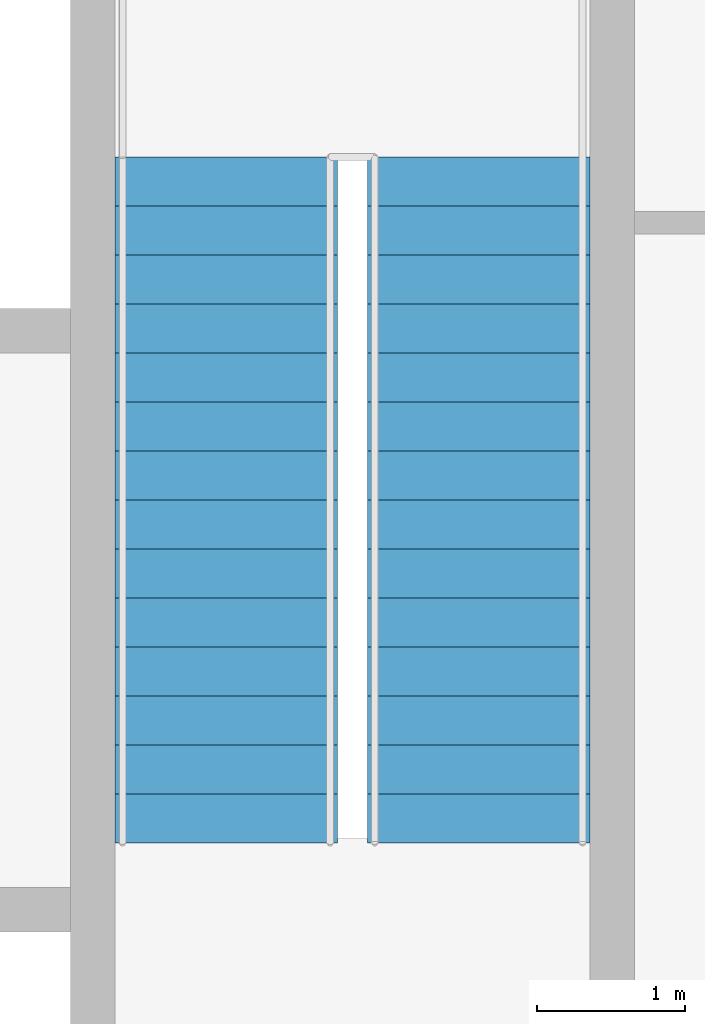
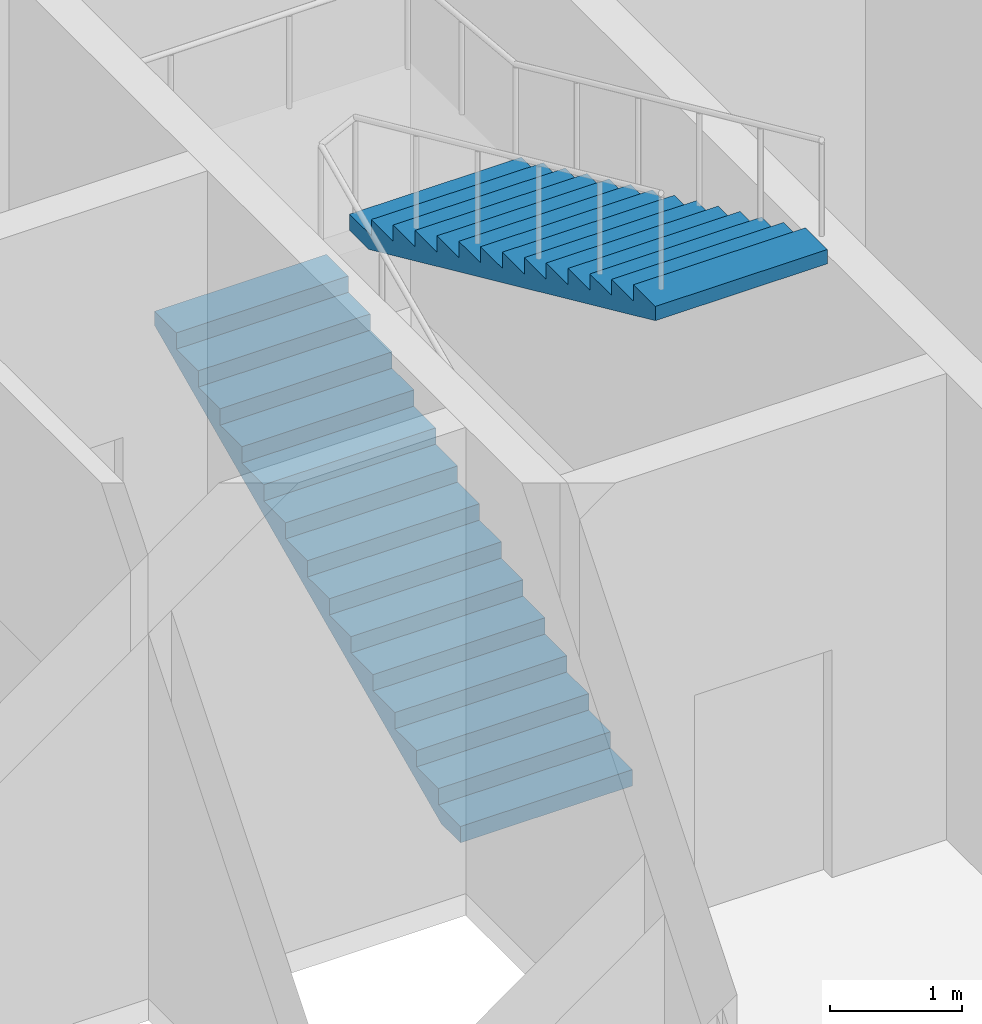
# One storey, part 11 of 12: 2 stair flights, 1 element without a shape of its own.
"""IFC4 building model written with IfcOpenShell, lengths in metres."""

from ifc_helpers import new_model, si_unit, direction, frame, origin, place, context, subcontext, project, spatial, polygons, material, type_object, element, aggregate, save


model = new_model("IFC4")

# Units and contexts
model_context = context("Model", 3, precision=1e-05, world=origin(), true_north=direction((0.0, 1.0)))
body_context = subcontext(model_context, "Body", "Model", "MODEL_VIEW")
ifc_project = project(units=[si_unit("LENGTHUNIT", "METRE"), si_unit("AREAUNIT", "SQUARE_METRE"), si_unit("VOLUMEUNIT", "CUBIC_METRE"), si_unit("PLANEANGLEUNIT", "RADIAN"), si_unit("MASSUNIT", "GRAM", prefix="KILO")], contexts=[model_context])

# Site, building, storey
site_placement = place(None, origin())
site = spatial("IfcSite", under=ifc_project, at=site_placement, CompositionType="ELEMENT")
building_placement = place(site_placement, origin())
building = spatial("IfcBuilding", under=site, at=building_placement, Name="Njiva Tower", CompositionType="ELEMENT")
storey_placement = place(building_placement, frame((0.0, 0.0, 60.3)))
storey = spatial("IfcBuildingStorey", under=building, at=storey_placement, Name="L12", CompositionType="ELEMENT", Elevation=60.3)

# Stair, stair flights
ifc_material = material(Name="Concrete C40/50", Category="concrete")
stair_type = type_object("IfcStairType", Name="ST4 Exit stair 1500", PredefinedType="HALF_TURN_STAIR", material=ifc_material)
stair_placement = place(storey_placement, origin())
stair = element("IfcStair", 1, at=stair_placement, inside=storey, type_object=stair_type, Name="Stair B", PredefinedType="HALF_TURN_STAIR")
stair_flight_type = type_object("IfcStairFlightType", Name="FL4 Stair flight 1500", PredefinedType="STRAIGHT", material=ifc_material)
stair_flight_1_placement = place(storey_placement, frame((11.75, 11.1, 0.0), z_axis=(0.0, 0.0, 1.0), x_axis=(0.0, 1.0, 0.0)))
stair_flight_1 = element("IfcStairFlight", 2, at=stair_flight_1_placement, type_object=stair_flight_type, Name="ST-B flight 1", NumberOfRisers=15, NumberOfTreads=14, PredefinedType="STRAIGHT", RiserHeight=0.15, TreadLength=0.33, context=body_context, shape_type="Tessellation", body=[
    polygons([(0.0, 0.75, 0.0), (0.0, 0.375, 0.0), (0.0, 0.0, 0.0), (0.0, -0.375, 0.0), (0.0, -0.75, 0.0), (0.0, 0.75, 0.15), (0.0, 0.375, 0.15), (0.0, 0.0, 0.15), (0.0, -0.375, 0.15), (0.0, -0.75, 0.15), (0.33, 0.75, 0.15), (0.33, 0.375, 0.15), (0.33, 0.0, 0.15), (0.33, -0.375, 0.15), (0.33, -0.75, 0.15), (0.33, 0.75, 0.3), (0.33, 0.375, 0.3), (0.33, 0.0, 0.3), (0.33, -0.375, 0.3), (0.33, -0.75, 0.3), (0.66, 0.75, 0.3), (0.66, 0.375, 0.3), (0.66, 0.0, 0.3), (0.66, -0.375, 0.3), (0.66, -0.75, 0.3), (0.66, 0.75, 0.45), (0.66, 0.375, 0.45), (0.66, 0.0, 0.45), (0.66, -0.375, 0.45), (0.66, -0.75, 0.45), (0.99, 0.75, 0.45), (0.99, 0.375, 0.45), (0.99, 0.0, 0.45), (0.99, -0.375, 0.45), (0.99, -0.75, 0.45), (0.99, 0.75, 0.6), (0.99, 0.375, 0.6), (0.99, 0.0, 0.6), (0.99, -0.375, 0.6), (0.99, -0.75, 0.6), (1.32, 0.75, 0.6), (1.32, 0.375, 0.6), (1.32, 0.0, 0.6), (1.32, -0.375, 0.6), (1.32, -0.75, 0.6), (1.32, 0.75, 0.75), (1.32, 0.375, 0.75), (1.32, 0.0, 0.75), (1.32, -0.375, 0.75), (1.32, -0.75, 0.75), (1.65, 0.75, 0.75), (1.65, 0.375, 0.75), (1.65, 0.0, 0.75), (1.65, -0.375, 0.75), (1.65, -0.75, 0.75), (1.65, 0.75, 0.9), (1.65, 0.375, 0.9), (1.65, 0.0, 0.9), (1.65, -0.375, 0.9), (1.65, -0.75, 0.9), (1.98, 0.75, 0.9), (1.98, 0.375, 0.9), (1.98, 0.0, 0.9), (1.98, -0.375, 0.9), (1.98, -0.75, 0.9), (1.98, 0.75, 1.05), (1.98, 0.375, 1.05), (1.98, 0.0, 1.05), (1.98, -0.375, 1.05), (1.98, -0.75, 1.05), (2.31, 0.75, 1.05), (2.31, 0.375, 1.05), (2.31, 0.0, 1.05), (2.31, -0.375, 1.05), (2.31, -0.75, 1.05), (2.31, 0.75, 1.2), (2.31, 0.375, 1.2), (2.31, 0.0, 1.2), (2.31, -0.375, 1.2), (2.31, -0.75, 1.2), (2.64, 0.75, 1.2), (2.64, 0.375, 1.2), (2.64, 0.0, 1.2), (2.64, -0.375, 1.2), (2.64, -0.75, 1.2), (2.64, 0.75, 1.35), (2.64, 0.375, 1.35), (2.64, 0.0, 1.35), (2.64, -0.375, 1.35), (2.64, -0.75, 1.35), (2.97, 0.75, 1.35), (2.97, 0.375, 1.35), (2.97, 0.0, 1.35), (2.97, -0.375, 1.35), (2.97, -0.75, 1.35), (2.97, 0.75, 1.5), (2.97, 0.375, 1.5), (2.97, 0.0, 1.5), (2.97, -0.375, 1.5), (2.97, -0.75, 1.5), (3.3, 0.75, 1.5), (3.3, 0.375, 1.5), (3.3, 0.0, 1.5), (3.3, -0.375, 1.5), (3.3, -0.75, 1.5), (3.3, 0.75, 1.65), (3.3, 0.375, 1.65), (3.3, 0.0, 1.65), (3.3, -0.375, 1.65), (3.3, -0.75, 1.65), (3.63, 0.75, 1.65), (3.63, 0.375, 1.65), (3.63, 0.0, 1.65), (3.63, -0.375, 1.65), (3.63, -0.75, 1.65), (3.63, 0.75, 1.8), (3.63, 0.375, 1.8), (3.63, 0.0, 1.8), (3.63, -0.375, 1.8), (3.63, -0.75, 1.8), (3.96, 0.75, 1.8), (3.96, 0.375, 1.8), (3.96, 0.0, 1.8), (3.96, -0.375, 1.8), (3.96, -0.75, 1.8), (3.96, 0.75, 1.95), (3.96, 0.375, 1.95), (3.96, 0.0, 1.95), (3.96, -0.375, 1.95), (3.96, -0.75, 1.95), (4.29, 0.75, 1.95), (4.29, 0.375, 1.95), (4.29, 0.0, 1.95), (4.29, -0.375, 1.95), (4.29, -0.75, 1.95), (4.29, 0.75, 2.1), (4.29, 0.375, 2.1), (4.29, 0.0, 2.1), (4.29, -0.375, 2.1), (4.29, -0.75, 2.1), (4.62, 0.75, 2.1), (4.62, 0.375, 2.1), (4.62, 0.0, 2.1), (4.62, -0.375, 2.1), (4.62, -0.75, 2.1), (4.62, 0.75, 1.9682), (4.62, 0.375, 1.9682), (4.62, 0.0, 1.9682), (4.62, -0.375, 1.9682), (4.62, -0.75, 1.9682), (0.29, 0.75, 0.0), (0.29, 0.375, 0.0), (0.29, 0.0, 0.0), (0.29, -0.375, 0.0), (0.29, -0.75, 0.0)], [[[1, 6, 11, 16, 21, 26, 31, 36, 41, 46, 51, 56, 61, 66, 71, 76, 81, 86, 91, 96, 101, 106, 111, 116, 121, 126, 131, 136, 141, 146, 151]], [[155, 150, 145, 140, 135, 130, 125, 120, 115, 110, 105, 100, 95, 90, 85, 80, 75, 70, 65, 60, 55, 50, 45, 40, 35, 30, 25, 20, 15, 10, 5]], [[6, 1, 2, 7]], [[7, 2, 3, 8]], [[8, 3, 4, 9]], [[9, 4, 5, 10]], [[11, 6, 7, 12]], [[12, 7, 8, 13]], [[13, 8, 9, 14]], [[14, 9, 10, 15]], [[16, 11, 12, 17]], [[17, 12, 13, 18]], [[18, 13, 14, 19]], [[19, 14, 15, 20]], [[21, 16, 17, 22]], [[22, 17, 18, 23]], [[23, 18, 19, 24]], [[24, 19, 20, 25]], [[26, 21, 22, 27]], [[27, 22, 23, 28]], [[28, 23, 24, 29]], [[29, 24, 25, 30]], [[31, 26, 27, 32]], [[32, 27, 28, 33]], [[33, 28, 29, 34]], [[34, 29, 30, 35]], [[36, 31, 32, 37]], [[37, 32, 33, 38]], [[38, 33, 34, 39]], [[39, 34, 35, 40]], [[41, 36, 37, 42]], [[42, 37, 38, 43]], [[43, 38, 39, 44]], [[44, 39, 40, 45]], [[46, 41, 42, 47]], [[47, 42, 43, 48]], [[48, 43, 44, 49]], [[49, 44, 45, 50]], [[51, 46, 47, 52]], [[52, 47, 48, 53]], [[53, 48, 49, 54]], [[54, 49, 50, 55]], [[56, 51, 52, 57]], [[57, 52, 53, 58]], [[58, 53, 54, 59]], [[59, 54, 55, 60]], [[61, 56, 57, 62]], [[62, 57, 58, 63]], [[63, 58, 59, 64]], [[64, 59, 60, 65]], [[66, 61, 62, 67]], [[67, 62, 63, 68]], [[68, 63, 64, 69]], [[69, 64, 65, 70]], [[71, 66, 67, 72]], [[72, 67, 68, 73]], [[73, 68, 69, 74]], [[74, 69, 70, 75]], [[76, 71, 72, 77]], [[77, 72, 73, 78]], [[78, 73, 74, 79]], [[79, 74, 75, 80]], [[81, 76, 77, 82]], [[82, 77, 78, 83]], [[83, 78, 79, 84]], [[84, 79, 80, 85]], [[86, 81, 82, 87]], [[87, 82, 83, 88]], [[88, 83, 84, 89]], [[89, 84, 85, 90]], [[91, 86, 87, 92]], [[92, 87, 88, 93]], [[93, 88, 89, 94]], [[94, 89, 90, 95]], [[96, 91, 92, 97]], [[97, 92, 93, 98]], [[98, 93, 94, 99]], [[99, 94, 95, 100]], [[101, 96, 97, 102]], [[102, 97, 98, 103]], [[103, 98, 99, 104]], [[104, 99, 100, 105]], [[106, 101, 102, 107]], [[107, 102, 103, 108]], [[108, 103, 104, 109]], [[109, 104, 105, 110]], [[111, 106, 107, 112]], [[112, 107, 108, 113]], [[113, 108, 109, 114]], [[114, 109, 110, 115]], [[116, 111, 112, 117]], [[117, 112, 113, 118]], [[118, 113, 114, 119]], [[119, 114, 115, 120]], [[121, 116, 117, 122]], [[122, 117, 118, 123]], [[123, 118, 119, 124]], [[124, 119, 120, 125]], [[126, 121, 122, 127]], [[127, 122, 123, 128]], [[128, 123, 124, 129]], [[129, 124, 125, 130]], [[131, 126, 127, 132]], [[132, 127, 128, 133]], [[133, 128, 129, 134]], [[134, 129, 130, 135]], [[136, 131, 132, 137]], [[137, 132, 133, 138]], [[138, 133, 134, 139]], [[139, 134, 135, 140]], [[141, 136, 137, 142]], [[142, 137, 138, 143]], [[143, 138, 139, 144]], [[144, 139, 140, 145]], [[146, 141, 142, 147]], [[147, 142, 143, 148]], [[148, 143, 144, 149]], [[149, 144, 145, 150]], [[151, 146, 147, 152]], [[152, 147, 148, 153]], [[153, 148, 149, 154]], [[154, 149, 150, 155]], [[1, 151, 152, 2]], [[2, 152, 153, 3]], [[3, 153, 154, 4]], [[4, 154, 155, 5]]], closed=True),
])
stair_flight_2_placement = place(storey_placement, frame((13.45, 15.72, 2.25), z_axis=(0.0, 0.0, 1.0), x_axis=(0.0, -1.0, 0.0)))
stair_flight_2 = element("IfcStairFlight", 3, at=stair_flight_2_placement, type_object=stair_flight_type, Name="ST-B flight 2", NumberOfRisers=15, NumberOfTreads=14, PredefinedType="STRAIGHT", RiserHeight=0.15, TreadLength=0.33, context=body_context, shape_type="Tessellation", body=[
    polygons([(0.0, 0.75, 0.0), (0.0, 0.375, 0.0), (0.0, 0.0, 0.0), (0.0, -0.375, 0.0), (0.0, -0.75, 0.0), (0.0, 0.75, 0.15), (0.0, 0.375, 0.15), (0.0, 0.0, 0.15), (0.0, -0.375, 0.15), (0.0, -0.75, 0.15), (0.33, 0.75, 0.15), (0.33, 0.375, 0.15), (0.33, 0.0, 0.15), (0.33, -0.375, 0.15), (0.33, -0.75, 0.15), (0.33, 0.75, 0.3), (0.33, 0.375, 0.3), (0.33, 0.0, 0.3), (0.33, -0.375, 0.3), (0.33, -0.75, 0.3), (0.66, 0.75, 0.3), (0.66, 0.375, 0.3), (0.66, 0.0, 0.3), (0.66, -0.375, 0.3), (0.66, -0.75, 0.3), (0.66, 0.75, 0.45), (0.66, 0.375, 0.45), (0.66, 0.0, 0.45), (0.66, -0.375, 0.45), (0.66, -0.75, 0.45), (0.99, 0.75, 0.45), (0.99, 0.375, 0.45), (0.99, 0.0, 0.45), (0.99, -0.375, 0.45), (0.99, -0.75, 0.45), (0.99, 0.75, 0.6), (0.99, 0.375, 0.6), (0.99, 0.0, 0.6), (0.99, -0.375, 0.6), (0.99, -0.75, 0.6), (1.32, 0.75, 0.6), (1.32, 0.375, 0.6), (1.32, 0.0, 0.6), (1.32, -0.375, 0.6), (1.32, -0.75, 0.6), (1.32, 0.75, 0.75), (1.32, 0.375, 0.75), (1.32, 0.0, 0.75), (1.32, -0.375, 0.75), (1.32, -0.75, 0.75), (1.65, 0.75, 0.75), (1.65, 0.375, 0.75), (1.65, 0.0, 0.75), (1.65, -0.375, 0.75), (1.65, -0.75, 0.75), (1.65, 0.75, 0.9), (1.65, 0.375, 0.9), (1.65, 0.0, 0.9), (1.65, -0.375, 0.9), (1.65, -0.75, 0.9), (1.98, 0.75, 0.9), (1.98, 0.375, 0.9), (1.98, 0.0, 0.9), (1.98, -0.375, 0.9), (1.98, -0.75, 0.9), (1.98, 0.75, 1.05), (1.98, 0.375, 1.05), (1.98, 0.0, 1.05), (1.98, -0.375, 1.05), (1.98, -0.75, 1.05), (2.31, 0.75, 1.05), (2.31, 0.375, 1.05), (2.31, 0.0, 1.05), (2.31, -0.375, 1.05), (2.31, -0.75, 1.05), (2.31, 0.75, 1.2), (2.31, 0.375, 1.2), (2.31, 0.0, 1.2), (2.31, -0.375, 1.2), (2.31, -0.75, 1.2), (2.64, 0.75, 1.2), (2.64, 0.375, 1.2), (2.64, 0.0, 1.2), (2.64, -0.375, 1.2), (2.64, -0.75, 1.2), (2.64, 0.75, 1.35), (2.64, 0.375, 1.35), (2.64, 0.0, 1.35), (2.64, -0.375, 1.35), (2.64, -0.75, 1.35), (2.97, 0.75, 1.35), (2.97, 0.375, 1.35), (2.97, 0.0, 1.35), (2.97, -0.375, 1.35), (2.97, -0.75, 1.35), (2.97, 0.75, 1.5), (2.97, 0.375, 1.5), (2.97, 0.0, 1.5), (2.97, -0.375, 1.5), (2.97, -0.75, 1.5), (3.3, 0.75, 1.5), (3.3, 0.375, 1.5), (3.3, 0.0, 1.5), (3.3, -0.375, 1.5), (3.3, -0.75, 1.5), (3.3, 0.75, 1.65), (3.3, 0.375, 1.65), (3.3, 0.0, 1.65), (3.3, -0.375, 1.65), (3.3, -0.75, 1.65), (3.63, 0.75, 1.65), (3.63, 0.375, 1.65), (3.63, 0.0, 1.65), (3.63, -0.375, 1.65), (3.63, -0.75, 1.65), (3.63, 0.75, 1.8), (3.63, 0.375, 1.8), (3.63, 0.0, 1.8), (3.63, -0.375, 1.8), (3.63, -0.75, 1.8), (3.96, 0.75, 1.8), (3.96, 0.375, 1.8), (3.96, 0.0, 1.8), (3.96, -0.375, 1.8), (3.96, -0.75, 1.8), (3.96, 0.75, 1.95), (3.96, 0.375, 1.95), (3.96, 0.0, 1.95), (3.96, -0.375, 1.95), (3.96, -0.75, 1.95), (4.29, 0.75, 1.95), (4.29, 0.375, 1.95), (4.29, 0.0, 1.95), (4.29, -0.375, 1.95), (4.29, -0.75, 1.95), (4.29, 0.75, 2.1), (4.29, 0.375, 2.1), (4.29, 0.0, 2.1), (4.29, -0.375, 2.1), (4.29, -0.75, 2.1), (4.62, 0.75, 2.1), (4.62, 0.375, 2.1), (4.62, 0.0, 2.1), (4.62, -0.375, 2.1), (4.62, -0.75, 2.1), (4.62, 0.75, 1.9682), (4.62, 0.375, 1.9682), (4.62, 0.0, 1.9682), (4.62, -0.375, 1.9682), (4.62, -0.75, 1.9682), (0.29, 0.75, 0.0), (0.29, 0.375, 0.0), (0.29, 0.0, 0.0), (0.29, -0.375, 0.0), (0.29, -0.75, 0.0)], [[[1, 6, 11, 16, 21, 26, 31, 36, 41, 46, 51, 56, 61, 66, 71, 76, 81, 86, 91, 96, 101, 106, 111, 116, 121, 126, 131, 136, 141, 146, 151]], [[155, 150, 145, 140, 135, 130, 125, 120, 115, 110, 105, 100, 95, 90, 85, 80, 75, 70, 65, 60, 55, 50, 45, 40, 35, 30, 25, 20, 15, 10, 5]], [[6, 1, 2, 7]], [[7, 2, 3, 8]], [[8, 3, 4, 9]], [[9, 4, 5, 10]], [[11, 6, 7, 12]], [[12, 7, 8, 13]], [[13, 8, 9, 14]], [[14, 9, 10, 15]], [[16, 11, 12, 17]], [[17, 12, 13, 18]], [[18, 13, 14, 19]], [[19, 14, 15, 20]], [[21, 16, 17, 22]], [[22, 17, 18, 23]], [[23, 18, 19, 24]], [[24, 19, 20, 25]], [[26, 21, 22, 27]], [[27, 22, 23, 28]], [[28, 23, 24, 29]], [[29, 24, 25, 30]], [[31, 26, 27, 32]], [[32, 27, 28, 33]], [[33, 28, 29, 34]], [[34, 29, 30, 35]], [[36, 31, 32, 37]], [[37, 32, 33, 38]], [[38, 33, 34, 39]], [[39, 34, 35, 40]], [[41, 36, 37, 42]], [[42, 37, 38, 43]], [[43, 38, 39, 44]], [[44, 39, 40, 45]], [[46, 41, 42, 47]], [[47, 42, 43, 48]], [[48, 43, 44, 49]], [[49, 44, 45, 50]], [[51, 46, 47, 52]], [[52, 47, 48, 53]], [[53, 48, 49, 54]], [[54, 49, 50, 55]], [[56, 51, 52, 57]], [[57, 52, 53, 58]], [[58, 53, 54, 59]], [[59, 54, 55, 60]], [[61, 56, 57, 62]], [[62, 57, 58, 63]], [[63, 58, 59, 64]], [[64, 59, 60, 65]], [[66, 61, 62, 67]], [[67, 62, 63, 68]], [[68, 63, 64, 69]], [[69, 64, 65, 70]], [[71, 66, 67, 72]], [[72, 67, 68, 73]], [[73, 68, 69, 74]], [[74, 69, 70, 75]], [[76, 71, 72, 77]], [[77, 72, 73, 78]], [[78, 73, 74, 79]], [[79, 74, 75, 80]], [[81, 76, 77, 82]], [[82, 77, 78, 83]], [[83, 78, 79, 84]], [[84, 79, 80, 85]], [[86, 81, 82, 87]], [[87, 82, 83, 88]], [[88, 83, 84, 89]], [[89, 84, 85, 90]], [[91, 86, 87, 92]], [[92, 87, 88, 93]], [[93, 88, 89, 94]], [[94, 89, 90, 95]], [[96, 91, 92, 97]], [[97, 92, 93, 98]], [[98, 93, 94, 99]], [[99, 94, 95, 100]], [[101, 96, 97, 102]], [[102, 97, 98, 103]], [[103, 98, 99, 104]], [[104, 99, 100, 105]], [[106, 101, 102, 107]], [[107, 102, 103, 108]], [[108, 103, 104, 109]], [[109, 104, 105, 110]], [[111, 106, 107, 112]], [[112, 107, 108, 113]], [[113, 108, 109, 114]], [[114, 109, 110, 115]], [[116, 111, 112, 117]], [[117, 112, 113, 118]], [[118, 113, 114, 119]], [[119, 114, 115, 120]], [[121, 116, 117, 122]], [[122, 117, 118, 123]], [[123, 118, 119, 124]], [[124, 119, 120, 125]], [[126, 121, 122, 127]], [[127, 122, 123, 128]], [[128, 123, 124, 129]], [[129, 124, 125, 130]], [[131, 126, 127, 132]], [[132, 127, 128, 133]], [[133, 128, 129, 134]], [[134, 129, 130, 135]], [[136, 131, 132, 137]], [[137, 132, 133, 138]], [[138, 133, 134, 139]], [[139, 134, 135, 140]], [[141, 136, 137, 142]], [[142, 137, 138, 143]], [[143, 138, 139, 144]], [[144, 139, 140, 145]], [[146, 141, 142, 147]], [[147, 142, 143, 148]], [[148, 143, 144, 149]], [[149, 144, 145, 150]], [[151, 146, 147, 152]], [[152, 147, 148, 153]], [[153, 148, 149, 154]], [[154, 149, 150, 155]], [[1, 151, 152, 2]], [[2, 152, 153, 3]], [[3, 153, 154, 4]], [[4, 154, 155, 5]]], closed=True),
])
aggregate(stair, [stair_flight_1, stair_flight_2])

save(model, "model.ifc")
